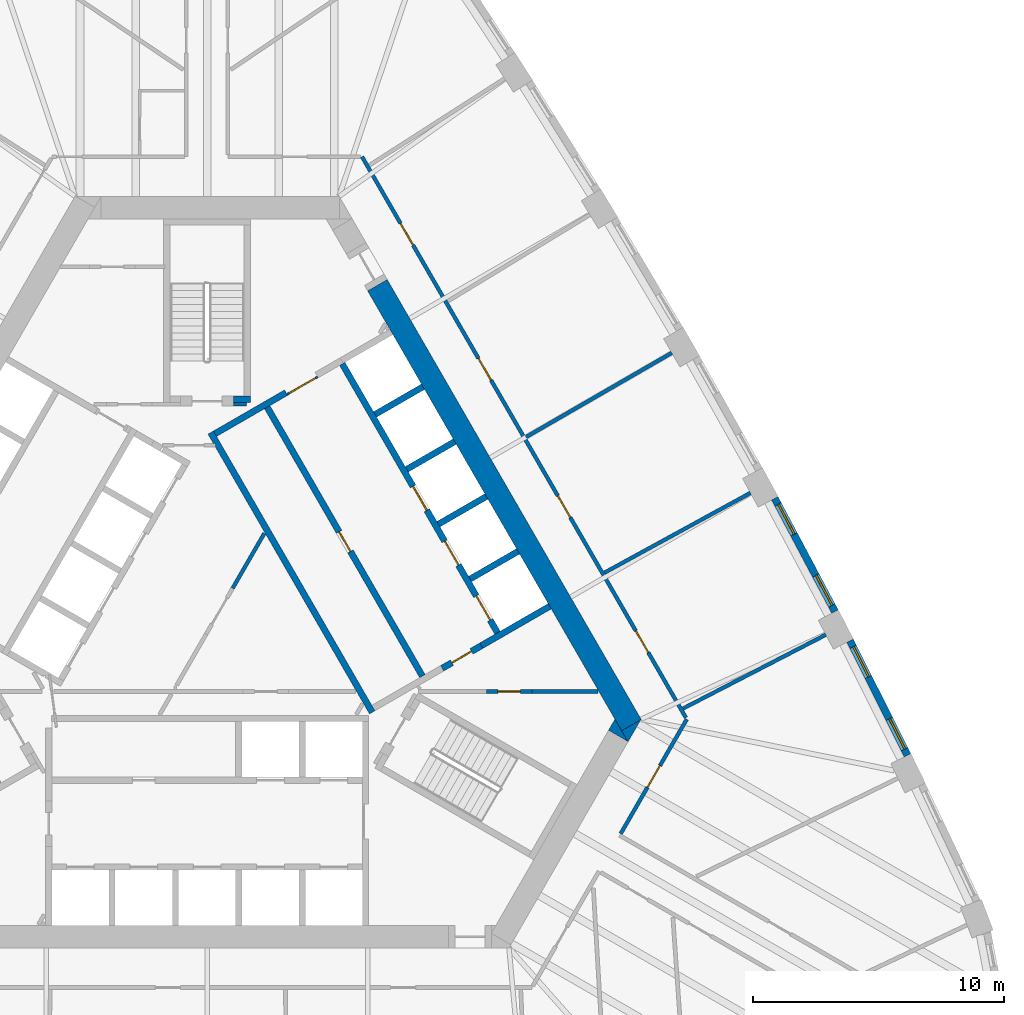
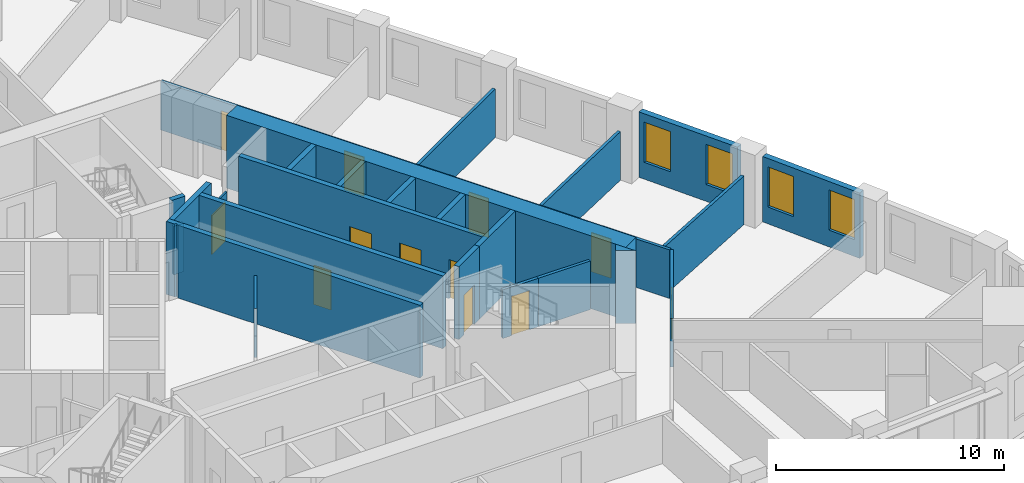
# One storey, part 8 of 12: 26 walls, 12 doors, 4 windows, 16 openings.
"""IFC4 building model written with IfcOpenShell, lengths in metres."""

from ifc_helpers import new_model, si_unit, direction, frame, frame_2d, origin, place, context, subcontext, project, spatial, polyline, rectangle, outline, extrude, material, layer, layer_set, type_object, element, fill, save


model = new_model("IFC4")

# Units and contexts
model_context = context("Model", 3, precision=1e-05, world=origin(), true_north=direction((0.0, 1.0)))
body_context = subcontext(model_context, "Body", "Model", "MODEL_VIEW")
ifc_project = project(units=[si_unit("LENGTHUNIT", "METRE"), si_unit("AREAUNIT", "SQUARE_METRE"), si_unit("VOLUMEUNIT", "CUBIC_METRE"), si_unit("PLANEANGLEUNIT", "RADIAN"), si_unit("MASSUNIT", "GRAM", prefix="KILO")], contexts=[model_context])

# Site, building, storey
site_placement = place(None, origin())
site = spatial("IfcSite", under=ifc_project, at=site_placement, CompositionType="ELEMENT")
building_placement = place(site_placement, origin())
building = spatial("IfcBuilding", under=site, at=building_placement, Name="Mestral Congress Tower", CompositionType="ELEMENT")
storey_placement = place(building_placement, frame((0.0, 0.0, 130.5)))
storey = spatial("IfcBuildingStorey", under=building, at=storey_placement, Name="L31", CompositionType="ELEMENT", Elevation=130.5)

# Walls
ifc_material_1 = material(Name="Fire-rated board partition")
ifc_layer_1 = layer(ifc_material_1, 0.14990234375)
ifc_layer_set_1 = layer_set([ifc_layer_1], Name="Fire-rated board partition")
wall_type_1 = type_object("IfcWallType", Name="Core partition 150", PredefinedType="PARTITIONING", material=ifc_layer_set_1)
wall_1_placement = place(storey_placement, frame((12.914794921875, -2.800048828125, 0.0), z_axis=(0.0, 0.0, 1.0), x_axis=(1.0, 0.0, 0.0)))
element("IfcWall", 1, at=wall_1_placement, inside=storey, type_object=wall_type_1, Name="L31 core wall", PredefinedType="PARTITIONING", context=body_context, shape_type="SweptSolid", body=[
    extrude(rectangle(XDim=2.636962890625, YDim=0.14990234375, at=frame_2d((1.318359375, 0.0))), origin(), (0.0, 0.0, 1.0), 2.60009765625),
])
wall_2_placement = place(storey_placement, frame((1.01611328125, 1.30908203125, 0.0), z_axis=(0.0, 0.0, 1.0), x_axis=(0.49998231768, 0.866035612436, 0.0)))
element("IfcWall", 2, at=wall_2_placement, inside=storey, type_object=wall_type_1, Name="L31 core wall", PredefinedType="PARTITIONING", context=body_context, shape_type="SweptSolid", body=[
    extrude(rectangle(XDim=2.52099609375, YDim=0.14990234375, at=frame_2d((1.260498046875, 0.0))), origin(), (0.0, 0.0, 1.0), 2.60009765625),
])
wall_3_placement = place(storey_placement, frame((1.050048828125, 8.62548828125, 0.0), z_axis=(0.0, 0.0, 1.0), x_axis=(1.0, 0.0, 0.0)))
element("IfcWall", 3, at=wall_3_placement, inside=storey, type_object=wall_type_1, Name="L31 core wall", PredefinedType="PARTITIONING", context=body_context, shape_type="SweptSolid", body=[
    extrude(rectangle(XDim=0.513916015625, YDim=0.14990234375, at=frame_2d((0.2568359375, 0.0))), origin(), (0.0, 0.0, 1.0), 2.60009765625),
])

# Wall, opening, door
wall_4_placement = place(storey_placement, frame((11.114501953125, -2.800048828125, 0.0), z_axis=(0.0, 0.0, 1.0), x_axis=(1.0, 0.0, 0.0)))
wall_4 = element("IfcWall", 4, at=wall_4_placement, inside=storey, type_object=wall_type_1, Name="L31 door wall", PredefinedType="PARTITIONING", context=body_context, shape_type="SweptSolid", body=[
    extrude(rectangle(XDim=1.800048828125, YDim=0.14990234375, at=frame_2d((0.89990234375, 0.0))), origin(), (0.0, 0.0, 1.0), 2.60009765625),
])
opening_1_placement = place(wall_4_placement, frame((0.449951171875, 0.0, 0.0)))
opening_1 = element("IfcOpeningElement", 5, at=opening_1_placement, cuts=wall_4, Name="Opening TD1", PredefinedType="OPENING", context=body_context, shape_type="SweptSolid", body=[
    extrude(rectangle(XDim=0.89990234375, YDim=2.10009765625, at=frame_2d((0.449951171875, 1.050048828125))), frame((0.0, 0.0849609375, 0.0), z_axis=(0.0, -1.0, 0.0), x_axis=(1.0, 0.0, 0.0)), (0.0, 0.0, 1.0), 0.169921875),
])
ifc_material_2 = material(Name="Fire-rated steel door set", Category="steel")
door_type_1 = type_object("IfcDoorType", Name="Core door SR 900x2100", OperationType="SINGLE_SWING_LEFT", PredefinedType="DOOR", material=ifc_material_2)
door_1_placement = place(opening_1_placement, origin())
door_1 = element("IfcDoor", 6, at=door_1_placement, inside=storey, type_object=door_type_1, Name="Door TD1", OperationType="SINGLE_SWING_LEFT", OverallHeight=2.10009765625, OverallWidth=0.89990234375, PredefinedType="DOOR", context=body_context, shape_type="SweptSolid", body=[
    extrude(rectangle(XDim=0.89990234375, YDim=2.10009765625, at=frame_2d((0.449951171875, 1.050048828125))), frame((0.0, 0.02490234375, 0.0), z_axis=(0.0, -1.0, 0.0), x_axis=(1.0, 0.0, 0.0)), (0.0, 0.0, 1.0), 0.050048828125),
])
fill(opening_1, door_1)

ifc_layer_2 = layer(ifc_material_1, 0.090087890625)
ifc_layer_set_2 = layer_set([ifc_layer_2], Name="Fire-rated board partition")
wall_type_2 = type_object("IfcWallType", Name="Core partition 150 door-wall 90", PredefinedType="PARTITIONING", material=ifc_layer_set_2)
wall_5_placement = place(storey_placement, frame((3.182861328125, 9.02001953125, 0.0), z_axis=(0.0, 0.0, 1.0), x_axis=(0.866034573852, 0.49998411664, 0.0)))
wall_5 = element("IfcWall", 7, at=wall_5_placement, inside=storey, type_object=wall_type_2, Name="L31 door wall", PredefinedType="PARTITIONING", context=body_context, shape_type="SweptSolid", body=[
    extrude(rectangle(XDim=1.39990234375, YDim=0.090087890625, at=frame_2d((0.699951171875, 0.0))), origin(), (0.0, 0.0, 1.0), 2.60009765625),
])
opening_2_placement = place(wall_5_placement, frame((0.10009765625, 0.0, 0.0)))
opening_2 = element("IfcOpeningElement", 8, at=opening_2_placement, cuts=wall_5, Name="Opening LB1-WL2", PredefinedType="OPENING", context=body_context, shape_type="SweptSolid", body=[
    extrude(rectangle(XDim=1.199951171875, YDim=2.10009765625, at=frame_2d((0.60009765625, 1.050048828125))), frame((0.0, 0.054931640625, 0.0), z_axis=(0.0, -1.0, 0.0), x_axis=(1.0, 0.0, 0.0)), (0.0, 0.0, 1.0), 0.110107421875),
])
door_type_2 = type_object("IfcDoorType", Name="Core door LB 1200x2100", OperationType="SINGLE_SWING_LEFT", PredefinedType="DOOR", material=ifc_material_2)
door_2_placement = place(opening_2_placement, origin())
door_2 = element("IfcDoor", 9, at=door_2_placement, inside=storey, type_object=door_type_2, Name="Door LB1-WL2", OperationType="SINGLE_SWING_LEFT", OverallHeight=2.10009765625, OverallWidth=1.199951171875, PredefinedType="DOOR", context=body_context, shape_type="SweptSolid", body=[
    extrude(rectangle(XDim=1.199951171875, YDim=2.10009765625, at=frame_2d((0.60009765625, 1.050048828125))), frame((0.0, 0.02490234375, 0.0), z_axis=(0.0, -1.0, 0.0), x_axis=(1.0, 0.0, 0.0)), (0.0, 0.0, 1.0), 0.050048828125),
])
fill(opening_2, door_2)

# Walls
ifc_material_3 = material(Name="Concrete C60/75", Category="concrete")
ifc_layer_3 = layer(ifc_material_3, 0.89990234375)
ifc_layer_set_3 = layer_set([ifc_layer_3], Name="Concrete C60/75")
wall_type_3 = type_object("IfcWallType", Name="Core wall RC 900", PredefinedType="SOLIDWALL", material=ifc_layer_set_3)
wall_6_placement = place(storey_placement, frame((6.77587890625, 13.36376953125, 0.0), z_axis=(0.0, 0.0, 1.0), x_axis=(0.500004177138, -0.8660229921, 0.0)))
element("IfcWall", 10, at=wall_6_placement, inside=storey, type_object=wall_type_3, Name="L31 core wall", PredefinedType="SOLIDWALL", context=body_context, shape_type="SweptSolid", body=[
    extrude(rectangle(XDim=20.203857421875, YDim=0.89990234375, at=frame_2d((10.10205078125, 0.0))), origin(), (0.0, 0.0, 1.0), 3.89990234375),
])
placement = place(storey_placement, origin())
element("IfcWall", 11, at=placement, inside=storey, type_object=wall_type_3, Name="L31 core wall", PredefinedType="SOLIDWALL", context=body_context, shape_type="SweptSolid", body=[
    extrude(outline(polyline([(16.7431640625, -4.800048828125), (16.4892578125, -4.360107421875), (17.251220703125, -3.920166015625), (16.7431640625, -4.800048828125)])), origin(), (0.0, 0.0, 1.0), 3.89990234375),
])
element("IfcWall", 12, at=placement, inside=storey, type_object=wall_type_3, Name="L31 core wall", PredefinedType="SOLIDWALL", context=body_context, shape_type="SweptSolid", body=[
    extrude(outline(polyline([(16.223388671875, -3.900146484375), (16.731689453125, -4.780029296875), (15.969482421875, -4.340087890625), (16.223388671875, -3.900146484375)])), origin(), (0.0, 0.0, 1.0), 3.89990234375),
])

# Wall, openings, windows
ifc_material_4 = material(Name="Precast concrete C40/50 with limestone facing", Category="masonry")
ifc_layer_4 = layer(ifc_material_4, 0.2900390625)
ifc_layer_set_4 = layer_set([ifc_layer_4], Name="Precast concrete C40/50 with limestone facing")
wall_type_4 = type_object("IfcWallType", Name="Facade stone wall 290", PredefinedType="SOLIDWALL", material=ifc_layer_set_4)
wall_9_placement = place(storey_placement, frame((27.864013671875, -5.336181640625, 0.0), z_axis=(0.0, 0.0, 1.0), x_axis=(-0.448534297211, 0.893765620409, 0.0)))
wall_9 = element("IfcWall", 13, at=wall_9_placement, inside=storey, type_object=wall_type_4, Name="Facade wall F1-01", PredefinedType="SOLIDWALL", context=body_context, shape_type="SweptSolid", body=[
    extrude(rectangle(XDim=5.10009765625, YDim=0.2900390625, at=frame_2d((2.550048828125, 0.0))), origin(), (0.0, 0.0, 1.0), 3.5),
])
opening_3_placement = place(wall_9_placement, frame((0.2724609375, 0.0, 0.89990234375)))
opening_3 = element("IfcOpeningElement", 14, at=opening_3_placement, cuts=wall_9, Name="Opening W2", PredefinedType="OPENING", context=body_context, shape_type="SweptSolid", body=[
    extrude(rectangle(XDim=1.35009765625, YDim=2.14990234375, at=frame_2d((0.675048828125, 1.074951171875))), frame((0.0, 0.155029296875, 0.0), z_axis=(0.0, -1.0, 0.0), x_axis=(1.0, 0.0, 0.0)), (0.0, 0.0, 1.0), 0.31005859375),
])
opening_4_placement = place(wall_9_placement, frame((3.477783203125, 0.0, 0.89990234375)))
opening_4 = element("IfcOpeningElement", 15, at=opening_4_placement, cuts=wall_9, Name="Opening W2", PredefinedType="OPENING", context=body_context, shape_type="SweptSolid", body=[
    extrude(rectangle(XDim=1.35009765625, YDim=2.14990234375, at=frame_2d((0.675048828125, 1.074951171875))), frame((0.0, 0.155029296875, 0.0), z_axis=(0.0, -1.0, 0.0), x_axis=(1.0, 0.0, 0.0)), (0.0, 0.0, 1.0), 0.31005859375),
])
ifc_material_5 = material(Name="Clear low-emissivity double glazing", Category="glass")
window_type = type_object("IfcWindowType", Name="Facade punched window 1350 x 2150 sill 900", PartitioningType="DOUBLE_PANEL_VERTICAL", PredefinedType="WINDOW", material=ifc_material_5)
window_1_placement = place(opening_3_placement, origin())
window_1 = element("IfcWindow", 16, at=window_1_placement, inside=storey, type_object=window_type, Name="Window F1-01a", OverallHeight=2.14990234375, OverallWidth=1.35009765625, PartitioningType="DOUBLE_PANEL_VERTICAL", PredefinedType="WINDOW", context=body_context, shape_type="SweptSolid", body=[
    extrude(rectangle(XDim=1.35009765625, YDim=2.14990234375, at=frame_2d((0.675048828125, 1.074951171875))), frame((0.0, 0.01513671875, 0.0), z_axis=(0.0, -1.0, 0.0), x_axis=(1.0, 0.0, 0.0)), (0.0, 0.0, 1.0), 0.06005859375),
])
fill(opening_3, window_1)
window_2_placement = place(opening_4_placement, origin())
window_2 = element("IfcWindow", 17, at=window_2_placement, inside=storey, type_object=window_type, Name="Window F1-01b", OverallHeight=2.14990234375, OverallWidth=1.35009765625, PartitioningType="DOUBLE_PANEL_VERTICAL", PredefinedType="WINDOW", context=body_context, shape_type="SweptSolid", body=[
    extrude(rectangle(XDim=1.35009765625, YDim=2.14990234375, at=frame_2d((0.675048828125, 1.074951171875))), frame((0.0, 0.01513671875, 0.0), z_axis=(0.0, -1.0, 0.0), x_axis=(1.0, 0.0, 0.0)), (0.0, 0.0, 1.0), 0.06005859375),
])
fill(opening_4, window_2)

wall_10_placement = place(storey_placement, frame((24.976806640625, 0.3828125, 0.0), z_axis=(0.0, 0.0, 1.0), x_axis=(-0.469323203119, 0.883026461106, 0.0)))
wall_10 = element("IfcWall", 18, at=wall_10_placement, inside=storey, type_object=wall_type_4, Name="Facade wall F1-02", PredefinedType="SOLIDWALL", context=body_context, shape_type="SweptSolid", body=[
    extrude(rectangle(XDim=5.1005859375, YDim=0.2900390625, at=frame_2d((2.55029296875, 0.0))), origin(), (0.0, 0.0, 1.0), 3.5),
])
opening_5_placement = place(wall_10_placement, frame((0.272705078125, 0.0, 0.89990234375)))
opening_5 = element("IfcOpeningElement", 19, at=opening_5_placement, cuts=wall_10, Name="Opening W2", PredefinedType="OPENING", context=body_context, shape_type="SweptSolid", body=[
    extrude(rectangle(XDim=1.35009765625, YDim=2.14990234375, at=frame_2d((0.675048828125, 1.074951171875))), frame((0.0, 0.155029296875, 0.0), z_axis=(0.0, -1.0, 0.0), x_axis=(1.0, 0.0, 0.0)), (0.0, 0.0, 1.0), 0.31005859375),
])
opening_6_placement = place(wall_10_placement, frame((3.477783203125, 0.0, 0.89990234375)))
opening_6 = element("IfcOpeningElement", 20, at=opening_6_placement, cuts=wall_10, Name="Opening W2", PredefinedType="OPENING", context=body_context, shape_type="SweptSolid", body=[
    extrude(rectangle(XDim=1.35009765625, YDim=2.14990234375, at=frame_2d((0.675048828125, 1.074951171875))), frame((0.0, 0.155029296875, 0.0), z_axis=(0.0, -1.0, 0.0), x_axis=(1.0, 0.0, 0.0)), (0.0, 0.0, 1.0), 0.31005859375),
])
window_3_placement = place(opening_5_placement, origin())
window_3 = element("IfcWindow", 21, at=window_3_placement, inside=storey, type_object=window_type, Name="Window F1-02a", OverallHeight=2.14990234375, OverallWidth=1.35009765625, PartitioningType="DOUBLE_PANEL_VERTICAL", PredefinedType="WINDOW", context=body_context, shape_type="SweptSolid", body=[
    extrude(rectangle(XDim=1.35009765625, YDim=2.14990234375, at=frame_2d((0.675048828125, 1.074951171875))), frame((0.0, 0.01513671875, 0.0), z_axis=(0.0, -1.0, 0.0), x_axis=(1.0, 0.0, 0.0)), (0.0, 0.0, 1.0), 0.06005859375),
])
fill(opening_5, window_3)
window_4_placement = place(opening_6_placement, origin())
window_4 = element("IfcWindow", 22, at=window_4_placement, inside=storey, type_object=window_type, Name="Window F1-02b", OverallHeight=2.14990234375, OverallWidth=1.35009765625, PartitioningType="DOUBLE_PANEL_VERTICAL", PredefinedType="WINDOW", context=body_context, shape_type="SweptSolid", body=[
    extrude(rectangle(XDim=1.35009765625, YDim=2.14990234375, at=frame_2d((0.675048828125, 1.074951171875))), frame((0.0, 0.01513671875, 0.0), z_axis=(0.0, -1.0, 0.0), x_axis=(1.0, 0.0, 0.0)), (0.0, 0.0, 1.0), 0.06005859375),
])
fill(opening_6, window_4)

# Wall, opening, door
ifc_material_6 = material(Name="Gypsum board partition on metal studs with mineral wool", Category="composite")
ifc_layer_5 = layer(ifc_material_6, 0.14990234375)
ifc_layer_set_5 = layer_set([ifc_layer_5], Name="Gypsum board partition on metal studs with mineral wool")
wall_type_5 = type_object("IfcWallType", Name="Hotel partition wall 150", PredefinedType="PARTITIONING", material=ifc_layer_set_5)
wall_11_placement = place(storey_placement, frame((19.081298828125, -3.89990234375, 0.0), z_axis=(0.0, 0.0, 1.0), x_axis=(-0.499974327079, -0.866040225545, 0.0)))
wall_11 = element("IfcWall", 23, at=wall_11_placement, inside=storey, type_object=wall_type_5, Name="L31-h-cw02", PredefinedType="PARTITIONING", context=body_context, shape_type="SweptSolid", body=[
    extrude(rectangle(XDim=5.258056640625, YDim=0.14990234375, at=frame_2d((2.62890625, 0.0))), origin(), (0.0, 0.0, 1.0), 2.60009765625),
])
opening_7_placement = place(wall_11_placement, frame((2.129150390625, 0.0, 0.0)))
opening_7 = element("IfcOpeningElement", 24, at=opening_7_placement, cuts=wall_11, Name="Opening H10-010", PredefinedType="OPENING", context=body_context, shape_type="SweptSolid", body=[
    extrude(rectangle(XDim=1.0, YDim=2.10009765625, at=frame_2d((0.5, 1.050048828125))), frame((0.0, 0.0849609375, 0.0), z_axis=(0.0, -1.0, 0.0), x_axis=(1.0, 0.0, 0.0)), (0.0, 0.0, 1.0), 0.169921875),
])
ifc_material_7 = material(Name="Timber veneer door leaf in metal frame", Category="wood")
door_type_3 = type_object("IfcDoorType", Name="Guest room entrance door 1000", OperationType="SINGLE_SWING_LEFT", PredefinedType="DOOR", material=ifc_material_7)
door_3_placement = place(opening_7_placement, origin())
door_3 = element("IfcDoor", 25, at=door_3_placement, inside=storey, type_object=door_type_3, Name="L31-h-d010", OperationType="SINGLE_SWING_LEFT", OverallHeight=2.10009765625, OverallWidth=1.0, PredefinedType="DOOR", context=body_context, shape_type="SweptSolid", body=[
    extrude(rectangle(XDim=1.0, YDim=2.10009765625, at=frame_2d((0.5, 1.050048828125))), frame((0.0, 0.02490234375, 0.0), z_axis=(0.0, -1.0, 0.0), x_axis=(1.0, 0.0, 0.0)), (0.0, 0.0, 1.0), 0.050048828125),
])
fill(opening_7, door_3)

# Wall, openings, doors
wall_12_placement = place(storey_placement, frame((6.1630859375, 18.47509765625, 0.0), z_axis=(0.0, 0.0, 1.0), x_axis=(0.500001317485, -0.866024643133, 0.0)))
wall_12 = element("IfcWall", 26, at=wall_12_placement, inside=storey, type_object=wall_type_5, Name="L31-h-cw03", PredefinedType="PARTITIONING", context=body_context, shape_type="SweptSolid", body=[
    extrude(rectangle(XDim=25.7666015625, YDim=0.14990234375, at=frame_2d((12.88330078125, 0.0))), origin(), (0.0, 0.0, 1.0), 2.60009765625),
])
opening_8_placement = place(wall_12_placement, frame((21.773681640625, 0.0, 0.0)))
opening_8 = element("IfcOpeningElement", 27, at=opening_8_placement, cuts=wall_12, Name="Opening H10-011", PredefinedType="OPENING", context=body_context, shape_type="SweptSolid", body=[
    extrude(rectangle(XDim=1.0, YDim=2.10009765625, at=frame_2d((0.5, 1.050048828125))), frame((0.0, 0.0849609375, 0.0), z_axis=(0.0, -1.0, 0.0), x_axis=(1.0, 0.0, 0.0)), (0.0, 0.0, 1.0), 0.169921875),
])
opening_9_placement = place(wall_12_placement, frame((15.5712890625, 0.0, 0.0)))
opening_9 = element("IfcOpeningElement", 28, at=opening_9_placement, cuts=wall_12, Name="Opening H10-012", PredefinedType="OPENING", context=body_context, shape_type="SweptSolid", body=[
    extrude(rectangle(XDim=1.0, YDim=2.10009765625, at=frame_2d((0.5, 1.050048828125))), frame((0.0, 0.0849609375, 0.0), z_axis=(0.0, -1.0, 0.0), x_axis=(1.0, 0.0, 0.0)), (0.0, 0.0, 1.0), 0.169921875),
])
opening_10_placement = place(wall_12_placement, frame((9.2646484375, 0.0, 0.0)))
opening_10 = element("IfcOpeningElement", 29, at=opening_10_placement, cuts=wall_12, Name="Opening H10-013", PredefinedType="OPENING", context=body_context, shape_type="SweptSolid", body=[
    extrude(rectangle(XDim=1.0, YDim=2.10009765625, at=frame_2d((0.5, 1.050048828125))), frame((0.0, 0.0849609375, 0.0), z_axis=(0.0, -1.0, 0.0), x_axis=(1.0, 0.0, 0.0)), (0.0, 0.0, 1.0), 0.169921875),
])
opening_11_placement = place(wall_12_placement, frame((3.06298828125, 0.0, 0.0)))
opening_11 = element("IfcOpeningElement", 30, at=opening_11_placement, cuts=wall_12, Name="Opening H10-014", PredefinedType="OPENING", context=body_context, shape_type="SweptSolid", body=[
    extrude(rectangle(XDim=1.0, YDim=2.10009765625, at=frame_2d((0.5, 1.050048828125))), frame((0.0, 0.0849609375, 0.0), z_axis=(0.0, -1.0, 0.0), x_axis=(1.0, 0.0, 0.0)), (0.0, 0.0, 1.0), 0.169921875),
])
door_4_placement = place(opening_8_placement, origin())
door_4 = element("IfcDoor", 31, at=door_4_placement, inside=storey, type_object=door_type_3, Name="L31-h-d011", OperationType="SINGLE_SWING_RIGHT", OverallHeight=2.10009765625, OverallWidth=1.0, PredefinedType="DOOR", context=body_context, shape_type="SweptSolid", body=[
    extrude(rectangle(XDim=1.0, YDim=2.10009765625, at=frame_2d((0.5, 1.050048828125))), frame((0.0, 0.02490234375, 0.0), z_axis=(0.0, -1.0, 0.0), x_axis=(1.0, 0.0, 0.0)), (0.0, 0.0, 1.0), 0.050048828125),
])
fill(opening_8, door_4)
door_5_placement = place(opening_9_placement, origin())
door_5 = element("IfcDoor", 32, at=door_5_placement, inside=storey, type_object=door_type_3, Name="L31-h-d012", OperationType="SINGLE_SWING_LEFT", OverallHeight=2.10009765625, OverallWidth=1.0, PredefinedType="DOOR", context=body_context, shape_type="SweptSolid", body=[
    extrude(rectangle(XDim=1.0, YDim=2.10009765625, at=frame_2d((0.5, 1.050048828125))), frame((0.0, 0.02490234375, 0.0), z_axis=(0.0, -1.0, 0.0), x_axis=(1.0, 0.0, 0.0)), (0.0, 0.0, 1.0), 0.050048828125),
])
fill(opening_9, door_5)
door_6_placement = place(opening_10_placement, origin())
door_6 = element("IfcDoor", 33, at=door_6_placement, inside=storey, type_object=door_type_3, Name="L31-h-d013", OperationType="SINGLE_SWING_RIGHT", OverallHeight=2.10009765625, OverallWidth=1.0, PredefinedType="DOOR", context=body_context, shape_type="SweptSolid", body=[
    extrude(rectangle(XDim=1.0, YDim=2.10009765625, at=frame_2d((0.5, 1.050048828125))), frame((0.0, 0.02490234375, 0.0), z_axis=(0.0, -1.0, 0.0), x_axis=(1.0, 0.0, 0.0)), (0.0, 0.0, 1.0), 0.050048828125),
])
fill(opening_10, door_6)
door_7_placement = place(opening_11_placement, origin())
door_7 = element("IfcDoor", 34, at=door_7_placement, inside=storey, type_object=door_type_3, Name="L31-h-d014", OperationType="SINGLE_SWING_LEFT", OverallHeight=2.10009765625, OverallWidth=1.0, PredefinedType="DOOR", context=body_context, shape_type="SweptSolid", body=[
    extrude(rectangle(XDim=1.0, YDim=2.10009765625, at=frame_2d((0.5, 1.050048828125))), frame((0.0, 0.02490234375, 0.0), z_axis=(0.0, -1.0, 0.0), x_axis=(1.0, 0.0, 0.0)), (0.0, 0.0, 1.0), 0.050048828125),
])
fill(opening_11, door_7)

# Walls
wall_13_placement = place(storey_placement, frame((18.484130859375, 10.671875, 0.0), z_axis=(0.0, 0.0, 1.0), x_axis=(-0.866019162053, -0.50001081084, 0.0)))
element("IfcWall", 35, at=wall_13_placement, inside=storey, type_object=wall_type_5, Name="L31-h-pw18", PredefinedType="PARTITIONING", context=body_context, shape_type="SweptSolid", body=[
    extrude(rectangle(XDim=6.693603515625, YDim=0.14990234375, at=frame_2d((3.3466796875, 0.0))), origin(), (0.0, 0.0, 1.0), 2.60009765625),
])
wall_14_placement = place(storey_placement, frame((21.614013671875, 5.1015625, 0.0), z_axis=(0.0, 0.0, 1.0), x_axis=(-0.877484555087, -0.479604895287, 0.0)))
element("IfcWall", 36, at=wall_14_placement, inside=storey, type_object=wall_type_5, Name="L31-h-pw20", PredefinedType="PARTITIONING", context=body_context, shape_type="SweptSolid", body=[
    extrude(rectangle(XDim=6.611083984375, YDim=0.14990234375, at=frame_2d((3.3056640625, 0.0))), origin(), (0.0, 0.0, 1.0), 2.60009765625),
])
wall_15_placement = place(storey_placement, frame((24.612548828125, -0.54052734375, 0.0), z_axis=(0.0, 0.0, 1.0), x_axis=(-0.888459912519, -0.458954228487, 0.0)))
element("IfcWall", 37, at=wall_15_placement, inside=storey, type_object=wall_type_5, Name="L31-h-pw22", PredefinedType="PARTITIONING", context=body_context, shape_type="SweptSolid", body=[
    extrude(rectangle(XDim=6.391845703125, YDim=0.14990234375, at=frame_2d((3.19580078125, 0.0))), origin(), (0.0, 0.0, 1.0), 2.60009765625),
])
ifc_layer_6 = layer(ifc_material_3, 0.25)
ifc_layer_set_6 = layer_set([ifc_layer_6], Name="Concrete C60/75")
wall_type_6 = type_object("IfcWallType", Name="Shaft wall RC 250", PredefinedType="SOLIDWALL", material=ifc_layer_set_6)
element("IfcWall", 38, at=placement, inside=storey, type_object=wall_type_6, Name="L31 core wall", PredefinedType="SOLIDWALL", context=body_context, shape_type="SweptSolid", body=[
    extrude(outline(polyline([(0.334716796875, 6.925048828125), (0.334716796875, 7.074951171875), (0.334716796875, 7.074951171875), (0.334716796875, 7.0751953125), (0.245361328125, 7.0751953125), (0.03515625, 7.439208984375), (0.251708984375, 7.564208984375), (0.376708984375, 7.34765625), (1.51171875, 5.3818359375), (1.63671875, 5.165283203125), (2.220947265625, 4.153076171875), (2.771484375, 3.199462890625), (2.896484375, 2.98291015625), (3.13818359375, 2.564208984375), (4.031494140625, 1.01708984375), (4.156494140625, 0.800537109375), (5.29150390625, -1.165283203125), (5.41650390625, -1.3818359375), (6.072998046875, -2.518798828125), (6.551513671875, -3.34765625), (6.676513671875, -3.564208984375), (6.460205078125, -3.689208984375), (0.33203125, 6.9248046875), (0.334716796875, 6.9248046875), (0.334716796875, 6.925048828125), (0.334716796875, 6.925048828125)])), origin(), (0.0, 0.0, 1.0), 3.89990234375),
])
wall_17_placement = place(storey_placement, frame((0.314208984375, 7.455810546875, 0.0), z_axis=(0.0, 0.0, 1.0), x_axis=(0.866013897511, 0.50001992892, 0.0)))
element("IfcWall", 39, at=wall_17_placement, inside=storey, type_object=wall_type_6, Name="L31 core wall", PredefinedType="SOLIDWALL", context=body_context, shape_type="SweptSolid", body=[
    extrude(rectangle(XDim=3.267822265625, YDim=0.25, at=frame_2d((1.6337890625, 0.0))), origin(), (0.0, 0.0, 1.0), 3.89990234375),
])
for number, where, z_axis, x_axis, name in (
    (40, (6.68359375, 8.2236328125, 0.0), (0.0, 0.0, 1.0), (0.86605622881, 0.499946605688, 0.0), "L31 core wall"),
    (41, (7.943603515625, 6.041259765625, 0.0), (0.0, 0.0, 1.0), (0.86605622881, 0.499946605688, 0.0), "L31 core wall"),
    (42, (9.20361328125, 3.85888671875, 0.0), (0.0, 0.0, 1.0), (0.86605622881, 0.499946605688, 0.0), "L31 core wall"),
):
    element("IfcWall", number, at=place(storey_placement, frame(where, z_axis=z_axis, x_axis=x_axis)), inside=storey, type_object=wall_type_6, Name=name, PredefinedType="SOLIDWALL", context=body_context, shape_type="SweptSolid", body=[
        extrude(rectangle(XDim=2.199951171875, YDim=0.25, at=frame_2d((1.10009765625, 0.0))), origin(), (0.0, 0.0, 1.0), 3.89990234375),
    ])
wall_18_placement = place(storey_placement, frame((10.910888671875, -0.97509765625, 0.0), z_axis=(0.0, 0.0, 1.0), x_axis=(0.866046979468, 0.499962627957, 0.0)))
element("IfcWall", 43, at=wall_18_placement, inside=storey, type_object=wall_type_6, Name="L31 core wall", PredefinedType="SOLIDWALL", context=body_context, shape_type="SweptSolid", body=[
    extrude(rectangle(XDim=3.138427734375, YDim=0.25, at=frame_2d((1.5693359375, 0.0))), origin(), (0.0, 0.0, 1.0), 3.89990234375),
])
wall_19_placement = place(storey_placement, frame((10.463623046875, 1.676513671875, 0.0), z_axis=(0.0, 0.0, 1.0), x_axis=(0.86605622881, 0.499946605688, 0.0)))
element("IfcWall", 44, at=wall_19_placement, inside=storey, type_object=wall_type_6, Name="L31 core wall", PredefinedType="SOLIDWALL", context=body_context, shape_type="SweptSolid", body=[
    extrude(rectangle(XDim=2.199951171875, YDim=0.25, at=frame_2d((1.10009765625, 0.0))), origin(), (0.0, 0.0, 1.0), 3.89990234375),
])

# Wall, openings, doors
wall_20_placement = place(storey_placement, frame((11.552978515625, -0.460205078125, 0.0), z_axis=(0.0, 0.0, 1.0), x_axis=(-0.500006514828, 0.866021642414, 0.0)))
wall_20 = element("IfcWall", 45, at=wall_20_placement, inside=storey, type_object=wall_type_6, Name="L31 door wall", PredefinedType="SOLIDWALL", context=body_context, shape_type="SweptSolid", body=[
    extrude(rectangle(XDim=12.349853515625, YDim=0.25, at=frame_2d((6.1748046875, 0.0))), origin(), (0.0, 0.0, 1.0), 3.89990234375),
])
opening_12_placement = place(wall_20_placement, frame((0.5849609375, 0.0, 0.0)))
opening_12 = element("IfcOpeningElement", 46, at=opening_12_placement, cuts=wall_20, Name="Opening LD-NEA1", PredefinedType="OPENING", context=body_context, shape_type="SweptSolid", body=[
    extrude(rectangle(XDim=1.10009765625, YDim=2.10009765625, at=frame_2d((0.550048828125, 1.050048828125))), frame((0.0, 0.135009765625, 0.0), z_axis=(0.0, -1.0, 0.0), x_axis=(1.0, 0.0, 0.0)), (0.0, 0.0, 1.0), 0.27001953125),
])
opening_13_placement = place(wall_20_placement, frame((3.10498046875, 0.0, 0.0)))
opening_13 = element("IfcOpeningElement", 47, at=opening_13_placement, cuts=wall_20, Name="Opening LD-NEA2", PredefinedType="OPENING", context=body_context, shape_type="SweptSolid", body=[
    extrude(rectangle(XDim=1.10009765625, YDim=2.10009765625, at=frame_2d((0.550048828125, 1.050048828125))), frame((0.0, 0.135009765625, 0.0), z_axis=(0.0, -1.0, 0.0), x_axis=(1.0, 0.0, 0.0)), (0.0, 0.0, 1.0), 0.27001953125),
])
opening_14_placement = place(wall_20_placement, frame((5.625, 0.0, 0.0)))
opening_14 = element("IfcOpeningElement", 48, at=opening_14_placement, cuts=wall_20, Name="Opening LD-NEA3", PredefinedType="OPENING", context=body_context, shape_type="SweptSolid", body=[
    extrude(rectangle(XDim=1.10009765625, YDim=2.10009765625, at=frame_2d((0.550048828125, 1.050048828125))), frame((0.0, 0.135009765625, 0.0), z_axis=(0.0, -1.0, 0.0), x_axis=(1.0, 0.0, 0.0)), (0.0, 0.0, 1.0), 0.27001953125),
])
door_type_4 = type_object("IfcDoorType", Name="Core door LD 1100x2100", OperationType="DOUBLE_DOOR_SLIDING", PredefinedType="DOOR", material=ifc_material_2)
door_8_placement = place(opening_12_placement, origin())
door_8 = element("IfcDoor", 49, at=door_8_placement, inside=storey, type_object=door_type_4, Name="Door LD-NEA1", OperationType="DOUBLE_DOOR_SLIDING", OverallHeight=2.10009765625, OverallWidth=1.10009765625, PredefinedType="DOOR", context=body_context, shape_type="SweptSolid", body=[
    extrude(rectangle(XDim=1.10009765625, YDim=2.10009765625, at=frame_2d((0.550048828125, 1.050048828125))), frame((0.0, 0.02490234375, 0.0), z_axis=(0.0, -1.0, 0.0), x_axis=(1.0, 0.0, 0.0)), (0.0, 0.0, 1.0), 0.050048828125),
])
fill(opening_12, door_8)
door_9_placement = place(opening_13_placement, origin())
door_9 = element("IfcDoor", 50, at=door_9_placement, inside=storey, type_object=door_type_4, Name="Door LD-NEA2", OperationType="DOUBLE_DOOR_SLIDING", OverallHeight=2.10009765625, OverallWidth=1.10009765625, PredefinedType="DOOR", context=body_context, shape_type="SweptSolid", body=[
    extrude(rectangle(XDim=1.10009765625, YDim=2.10009765625, at=frame_2d((0.550048828125, 1.050048828125))), frame((0.0, 0.02490234375, 0.0), z_axis=(0.0, -1.0, 0.0), x_axis=(1.0, 0.0, 0.0)), (0.0, 0.0, 1.0), 0.050048828125),
])
fill(opening_13, door_9)
door_10_placement = place(opening_14_placement, origin())
door_10 = element("IfcDoor", 51, at=door_10_placement, inside=storey, type_object=door_type_4, Name="Door LD-NEA3", OperationType="DOUBLE_DOOR_SLIDING", OverallHeight=2.10009765625, OverallWidth=1.10009765625, PredefinedType="DOOR", context=body_context, shape_type="SweptSolid", body=[
    extrude(rectangle(XDim=1.10009765625, YDim=2.10009765625, at=frame_2d((0.550048828125, 1.050048828125))), frame((0.0, 0.02490234375, 0.0), z_axis=(0.0, -1.0, 0.0), x_axis=(1.0, 0.0, 0.0)), (0.0, 0.0, 1.0), 0.050048828125),
])
fill(opening_14, door_10)

# Wall, opening, door
wall_21_placement = place(storey_placement, frame((8.565185546875, -2.185302734375, 0.0), z_axis=(0.0, 0.0, 1.0), x_axis=(-0.499997954832, 0.866026584559, 0.0)))
wall_21 = element("IfcWall", 52, at=wall_21_placement, inside=storey, type_object=wall_type_6, Name="L31 door wall", PredefinedType="SOLIDWALL", context=body_context, shape_type="SweptSolid", body=[
    extrude(rectangle(XDim=12.35009765625, YDim=0.25, at=frame_2d((6.175048828125, 0.0))), origin(), (0.0, 0.0, 1.0), 3.89990234375),
])
opening_15_placement = place(wall_21_placement, frame((5.72509765625, 0.0, 0.0)))
opening_15 = element("IfcOpeningElement", 53, at=opening_15_placement, cuts=wall_21, Name="Opening SR-NEB1", PredefinedType="OPENING", context=body_context, shape_type="SweptSolid", body=[
    extrude(rectangle(XDim=0.89990234375, YDim=2.10009765625, at=frame_2d((0.449951171875, 1.050048828125))), frame((0.0, 0.135009765625, 0.0), z_axis=(0.0, -1.0, 0.0), x_axis=(1.0, 0.0, 0.0)), (0.0, 0.0, 1.0), 0.27001953125),
])
door_11_placement = place(opening_15_placement, origin())
door_11 = element("IfcDoor", 54, at=door_11_placement, inside=storey, type_object=door_type_1, Name="Door SR-NEB1", OperationType="SINGLE_SWING_LEFT", OverallHeight=2.10009765625, OverallWidth=0.89990234375, PredefinedType="DOOR", context=body_context, shape_type="SweptSolid", body=[
    extrude(rectangle(XDim=0.89990234375, YDim=2.10009765625, at=frame_2d((0.449951171875, 1.050048828125))), frame((0.0, 0.02490234375, 0.0), z_axis=(0.0, -1.0, 0.0), x_axis=(1.0, 0.0, 0.0)), (0.0, 0.0, 1.0), 0.050048828125),
])
fill(opening_15, door_11)

wall_22_placement = place(storey_placement, frame((9.35205078125, -1.875244140625, 0.0), z_axis=(0.0, 0.0, 1.0), x_axis=(0.865989075817, 0.500062916607, 0.0)))
wall_22 = element("IfcWall", 55, at=wall_22_placement, inside=storey, type_object=wall_type_6, Name="L31 door wall", PredefinedType="SOLIDWALL", context=body_context, shape_type="SweptSolid", body=[
    extrude(rectangle(XDim=1.800048828125, YDim=0.25, at=frame_2d((0.89990234375, 0.0))), origin(), (0.0, 0.0, 1.0), 3.89990234375),
])
opening_16_placement = place(wall_22_placement, frame((0.449951171875, 0.0, 0.0)))
opening_16 = element("IfcOpeningElement", 56, at=opening_16_placement, cuts=wall_22, Name="Opening SD-HUB2", PredefinedType="OPENING", context=body_context, shape_type="SweptSolid", body=[
    extrude(rectangle(XDim=0.89990234375, YDim=2.10009765625, at=frame_2d((0.449951171875, 1.050048828125))), frame((0.0, 0.135009765625, 0.0), z_axis=(0.0, -1.0, 0.0), x_axis=(1.0, 0.0, 0.0)), (0.0, 0.0, 1.0), 0.27001953125),
])
door_12_placement = place(opening_16_placement, origin())
door_12 = element("IfcDoor", 57, at=door_12_placement, inside=storey, type_object=door_type_1, Name="Door SD-HUB2", OperationType="SINGLE_SWING_LEFT", OverallHeight=2.10009765625, OverallWidth=0.89990234375, PredefinedType="DOOR", context=body_context, shape_type="SweptSolid", body=[
    extrude(rectangle(XDim=0.89990234375, YDim=2.10009765625, at=frame_2d((0.449951171875, 1.050048828125))), frame((0.0, 0.02490234375, 0.0), z_axis=(0.0, -1.0, 0.0), x_axis=(1.0, 0.0, 0.0)), (0.0, 0.0, 1.0), 0.050048828125),
])
fill(opening_16, door_12)

# Wall
ifc_layer_7 = layer(ifc_material_3, 0.25)
ifc_layer_set_7 = layer_set([ifc_layer_7], Name="Concrete C60/75")
wall_type_7 = type_object("IfcWallType", Name="Stair wall RC 250", PredefinedType="SOLIDWALL", material=ifc_layer_set_7)
wall_23_placement = place(storey_placement, frame((1.050048828125, 8.824951171875, 0.0), z_axis=(0.0, 0.0, 1.0), x_axis=(1.0, 0.0, 0.0)))
element("IfcWall", 58, at=wall_23_placement, inside=storey, type_object=wall_type_7, Name="L31 core wall", PredefinedType="SOLIDWALL", context=body_context, shape_type="SweptSolid", body=[
    extrude(rectangle(XDim=0.675048828125, YDim=0.25, at=frame_2d((0.33740234375, 0.0))), origin(), (0.0, 0.0, 1.0), 3.89990234375),
])

save(model, "model.ifc")
